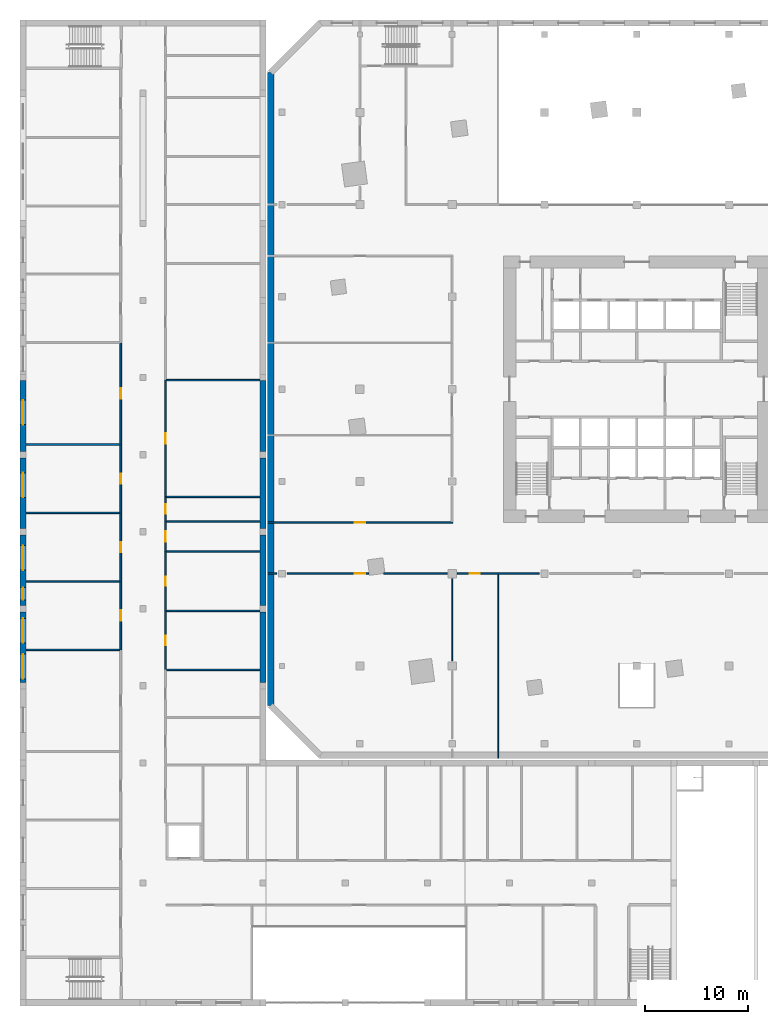
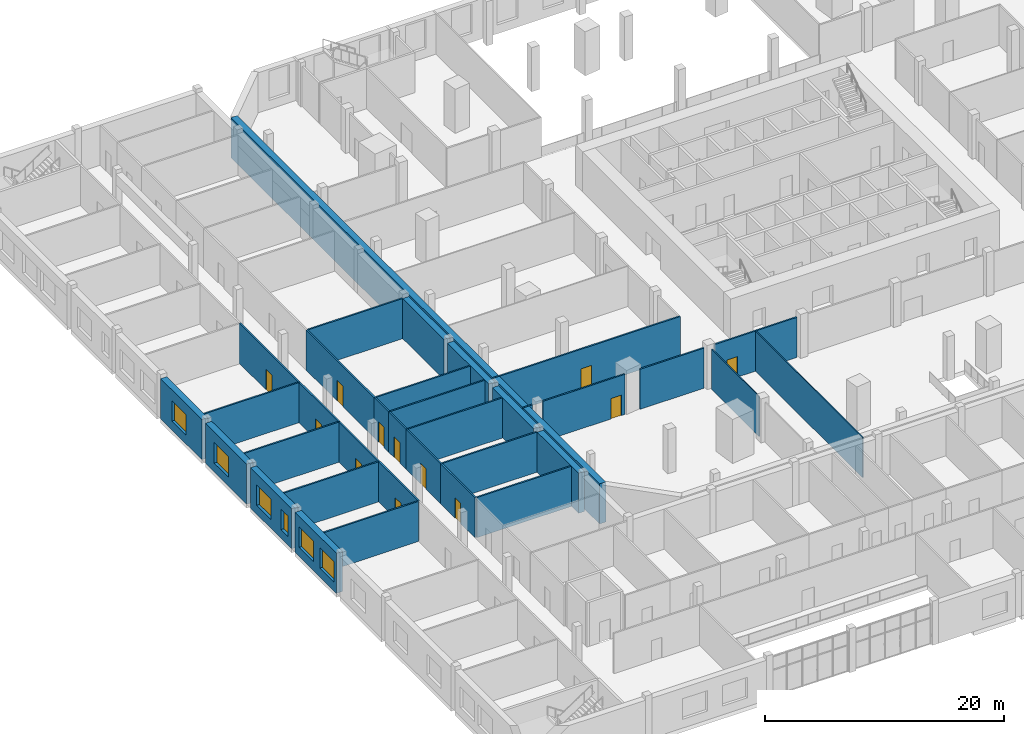
# One storey, part 11 of 27: 35 walls, 12 doors, 6 windows, 18 openings.
"""IFC4 building model written with IfcOpenShell, lengths in metres."""

import ifcopenshell
import ifcopenshell.guid

model = None  # the IFC model being written
_history = None  # IfcOwnerHistory: only IFC2X3 demands one
_inside = {}  # id of a spatial element -> (the spatial element, [elements in it])
_under = {}  # id of a project, library or spatial element -> (it, [spatial elements below it])
_declared = {}  # id of a project -> (the project, [libraries it declares])
_typed = {}  # id of a type object -> (the type object, [elements of that type])
_made_of = {}  # id of a material, layer set ... -> (it, [elements and type objects made of it])


def new_model(schema):
    """Start an empty IFC model of exactly this schema.

    Asked for "IFC4X3", IfcOpenShell would pick the latest addendum, in which some entities
    have other attributes; the version numbers below select the first issue.
    IFC2X3 requires an IfcOwnerHistory on every rooted entity: one is made here for all.
    """
    global model, _history
    if schema == "IFC4X3":
        model = ifcopenshell.file(schema_version=(4, 3, 0, 0))
    else:
        model = ifcopenshell.file(schema=schema)
    _inside.clear()
    _under.clear()
    _declared.clear()
    _typed.clear()
    _made_of.clear()
    _history = None
    if model.schema == "IFC2X3":
        org = make("IfcOrganization", Name="unknown")
        user = make(
            "IfcPersonAndOrganization",
            ThePerson=make("IfcPerson", FamilyName="unknown"),
            TheOrganization=org,
        )
        app = make(
            "IfcApplication",
            ApplicationDeveloper=org,
            Version="unknown",
            ApplicationFullName="unknown",
            ApplicationIdentifier="unknown",
        )
        _history = make(
            "IfcOwnerHistory",
            OwningUser=user,
            OwningApplication=app,
            ChangeAction="ADDED",
            CreationDate=0,
        )
    return model


def make(cls, **values):
    """One entity of the class cls with the attributes given. An attribute that is None is left unset."""
    return model.create_entity(
        cls, **{name: value for name, value in values.items() if value is not None}
    )


def rooted(cls, **values):
    """An entity with a GlobalId (a new one), such as an element, a storey or a relation."""
    return make(cls, GlobalId=ifcopenshell.guid.new(), OwnerHistory=_history, **values)


def si_unit(unit_type, name, prefix=None):
    """IfcSIUnit, for example si_unit("LENGTHUNIT", "METRE", prefix="MILLI")."""
    return make("IfcSIUnit", UnitType=unit_type, Prefix=prefix, Name=name)


def assignment(units):
    """IfcUnitAssignment: the units of a project."""
    return None if units is None else make("IfcUnitAssignment", Units=units)


def point(xyz):
    """IfcCartesianPoint."""
    return None if xyz is None else make("IfcCartesianPoint", Coordinates=xyz)


def direction(xyz):
    """IfcDirection."""
    return None if xyz is None else make("IfcDirection", DirectionRatios=xyz)


def frame(location, z_axis=None, x_axis=None):
    """IfcAxis2Placement3D, a coordinate frame: its origin and axes. An axis left out is left unset."""
    return make(
        "IfcAxis2Placement3D",
        Location=point(location),
        Axis=direction(z_axis),
        RefDirection=direction(x_axis),
    )


def frame_2d(location, x_axis=None):
    """IfcAxis2Placement2D, a coordinate frame in the plane: its origin and x axis."""
    return make(
        "IfcAxis2Placement2D", Location=point(location), RefDirection=direction(x_axis)
    )


def origin():
    """The frame at (0, 0, 0) with its axes left unset."""
    return frame((0.0, 0.0, 0.0))


def place(relative_to, where):
    """IfcLocalPlacement: puts the frame where relative to a parent placement (None: the world)."""
    return make(
        "IfcLocalPlacement", PlacementRelTo=relative_to, RelativePlacement=where
    )


def context(
    kind, dimensions, precision=None, world=None, true_north=None, identifier=None
):
    """IfcGeometricRepresentationContext, for example the 3D "Model" context."""
    return make(
        "IfcGeometricRepresentationContext",
        ContextIdentifier=identifier,
        ContextType=kind,
        CoordinateSpaceDimension=dimensions,
        Precision=precision,
        WorldCoordinateSystem=world,
        TrueNorth=true_north,
    )


def subcontext(parent, identifier, kind, view, scale=None):
    """IfcGeometricRepresentationSubContext, for example "Body" below "Model"."""
    return make(
        "IfcGeometricRepresentationSubContext",
        ContextIdentifier=identifier,
        ContextType=kind,
        ParentContext=parent,
        TargetScale=scale,
        TargetView=view,
    )


def project(units=None, contexts=None):
    """IfcProject with its units and contexts."""
    return rooted(
        "IfcProject",
        Name="project",
        RepresentationContexts=contexts,
        UnitsInContext=assignment(units),
    )


def spatial(cls, under=None, at=None, **own):
    """A site, building, storey or space (cls), placed at a placement, below another one or the project."""
    s = rooted(cls, ObjectPlacement=at, **own)
    if under is not None:
        _under.setdefault(under.id(), (under, []))[1].append(s)
    return s


def profile(cls, at=None, kind="AREA", **sizes):
    """A parametric profile (cls). Its sizes go by their IFC names, for example OverallWidth=200.0."""
    return make(cls, ProfileType=kind, Position=at, **sizes)


def rectangle(**sizes):
    """IfcRectangleProfileDef."""
    return profile("IfcRectangleProfileDef", **sizes)


def extrude(swept, where, along, depth):
    """IfcExtrudedAreaSolid: the profile swept, set in the frame where, extruded along a direction by depth."""
    return make(
        "IfcExtrudedAreaSolid",
        SweptArea=swept,
        Position=where,
        ExtrudedDirection=direction(along),
        Depth=depth,
    )


def shape(context_of_items, identifier, shape_type, items):
    """IfcShapeRepresentation: the items that make up one representation, for example the "Body"."""
    return make(
        "IfcShapeRepresentation",
        ContextOfItems=context_of_items,
        RepresentationIdentifier=identifier,
        RepresentationType=shape_type,
        Items=items,
    )


def material(Name=None, Category=None):
    """IfcMaterial."""
    return make("IfcMaterial", Name=Name, Category=Category)


def layer(
    of_material, thickness, ventilated=None, Name=None, Category=None, Priority=None
):
    """IfcMaterialLayer: one layer of a wall or slab, of a material (None: an air gap)."""
    return make(
        "IfcMaterialLayer",
        Material=of_material,
        LayerThickness=thickness,
        IsVentilated=ventilated,
        Name=Name,
        Category=Category,
        Priority=Priority,
    )


def layer_set(layers, Name=None):
    """IfcMaterialLayerSet."""
    return make("IfcMaterialLayerSet", MaterialLayers=layers, LayerSetName=Name)


def made_of(thing, what):
    """Note that an element or type object is made of a material, layer set ...; save() writes the relation."""
    if what is not None:
        _made_of.setdefault(what.id(), (what, []))[1].append(thing)
    return thing


def type_object(cls, material=None, **own):
    """A type object (cls), such as IfcWallType, which elements share."""
    return made_of(rooted(cls, **own), material)


def element(
    cls,
    number,
    at=None,
    inside=None,
    cuts=None,
    type_object=None,
    material=None,
    context=None,
    identifier="Body",
    shape_type=None,
    held_by="IfcProductDefinitionShape",
    body=None,
    shapes=None,
    **own,
):
    """One element of the class cls, such as IfcWall. Its Tag is "e" and its number.

    at: its placement. inside: the storey or other place that contains it. cuts: it is an
    opening in that element (IfcRelVoidsElement). A single representation is given by context,
    identifier, shape_type and body (its items); several are given by shapes. held_by: the class
    of the entity that holds the representations. save() writes the other relations.
    """
    e = rooted(cls, Tag="e%d" % number, ObjectPlacement=at, **own)
    if body is not None:
        shapes = [shape(context, identifier, shape_type, body)]
    if shapes is not None:
        e.Representation = make(held_by, Representations=shapes)
    if inside is not None:
        _inside.setdefault(inside.id(), (inside, []))[1].append(e)
    if cuts is not None:
        rooted(
            "IfcRelVoidsElement", RelatingBuildingElement=cuts, RelatedOpeningElement=e
        )
    if type_object is not None:
        _typed.setdefault(type_object.id(), (type_object, []))[1].append(e)
    return made_of(e, material)


def fill(opening, filler):
    """IfcRelFillsElement: the door or window that sits in an opening."""
    return rooted(
        "IfcRelFillsElement",
        RelatingOpeningElement=opening,
        RelatedBuildingElement=filler,
    )


def aggregate(whole, parts):
    """IfcRelAggregates: a whole, such as a stair, and the parts it consists of."""
    return rooted("IfcRelAggregates", RelatingObject=whole, RelatedObjects=parts)


def save(model, path):
    """Write the relations noted so far, then the file.

    IfcRelAggregates (storeys below a building ...), IfcRelContainedInSpatialStructure (elements
    in a storey), IfcRelDefinesByType, IfcRelAssociatesMaterial and IfcRelDeclares: one each for
    every whole, place, type object, material and project.
    """
    for whole, parts in _under.values():
        aggregate(whole, parts)
    for where, things in _inside.values():
        rooted(
            "IfcRelContainedInSpatialStructure",
            RelatedElements=things,
            RelatingStructure=where,
        )
    for kind, things in _typed.values():
        rooted("IfcRelDefinesByType", RelatedObjects=things, RelatingType=kind)
    for what, things in _made_of.values():
        rooted("IfcRelAssociatesMaterial", RelatedObjects=things, RelatingMaterial=what)
    for by, libraries in _declared.values():
        rooted("IfcRelDeclares", RelatingContext=by, RelatedDefinitions=libraries)
    model.write(path)


model = new_model("IFC4")

# Units and contexts
model_context = context("Model", 3, precision=1e-05, world=origin(), true_north=direction((0.0, 1.0)))
body_context = subcontext(model_context, "Body", "Model", "MODEL_VIEW")
ifc_project = project(units=[si_unit("LENGTHUNIT", "METRE"), si_unit("AREAUNIT", "SQUARE_METRE"), si_unit("VOLUMEUNIT", "CUBIC_METRE"), si_unit("PLANEANGLEUNIT", "RADIAN"), si_unit("MASSUNIT", "GRAM", prefix="KILO")], contexts=[model_context])

# Site, building, storey
site_placement = place(None, origin())
site = spatial("IfcSite", under=ifc_project, at=site_placement, CompositionType="ELEMENT")
building_placement = place(site_placement, origin())
building = spatial("IfcBuilding", under=site, at=building_placement, Name="Dilmun Exchange Tower", CompositionType="ELEMENT")
storey_placement = place(building_placement, frame((0.0, 0.0, 4.5)))
storey = spatial("IfcBuildingStorey", under=building, at=storey_placement, Name="L01", CompositionType="ELEMENT", Elevation=4.5)

# Wall
ifc_material_1 = material(Name="Fire partition EI 60 150 gypsum")
ifc_layer_1 = layer(ifc_material_1, 0.14990234375)
ifc_layer_set_1 = layer_set([ifc_layer_1], Name="Fire partition EI 60 150 gypsum")
wall_type_1 = type_object("IfcWallType", Name="Fire partition EI 60 150 gypsum", PredefinedType="PARTITIONING", material=ifc_layer_set_1)
wall_1_placement = place(storey_placement, frame((-36.0, -18.0, 0.0), z_axis=(0.0, 0.0, 1.0), x_axis=(1.0, 0.0, 0.0)))
element("IfcWall", 1, at=wall_1_placement, inside=storey, type_object=wall_type_1, Name="L01 partition", PredefinedType="PARTITIONING", context=body_context, shape_type="SweptSolid", body=[
    extrude(rectangle(XDim=0.89990234375, YDim=0.14990234375, at=frame_2d((0.449951171875, 0.0))), origin(), (0.0, 0.0, 1.0), 4.10009765625),
])

# Wall, opening, door
wall_2_placement = place(storey_placement, frame((-34.10009765625, -18.0, 0.0), z_axis=(0.0, 0.0, 1.0), x_axis=(1.0, 0.0, 0.0)))
wall_2 = element("IfcWall", 2, at=wall_2_placement, inside=storey, type_object=wall_type_1, Name="L01 partition", PredefinedType="PARTITIONING", context=body_context, shape_type="SweptSolid", body=[
    extrude(rectangle(XDim=7.956787109375, YDim=0.14990234375, at=frame_2d((3.978515625, 0.0))), origin(), (0.0, 0.0, 1.0), 4.10009765625),
])
opening_1_placement = place(wall_2_placement, frame((6.60009765625, 0.0, 0.0)))
opening_1 = element("IfcOpeningElement", 3, at=opening_1_placement, cuts=wall_2, Name="Opening L01-D011", PredefinedType="OPENING", context=body_context, shape_type="SweptSolid", body=[
    extrude(rectangle(XDim=1.0, YDim=2.10009765625, at=frame_2d((0.5, 1.050048828125))), frame((0.0, 0.0849609375, 0.0), z_axis=(0.0, -1.0, 0.0), x_axis=(1.0, 0.0, 0.0)), (0.0, 0.0, 1.0), 0.169921875),
])
ifc_material_2 = material(Name="Fire door FD60 1000 x 2100")
door_type_1 = type_object("IfcDoorType", Name="Fire door FD60 1000 x 2100", OperationType="SINGLE_SWING_LEFT", PredefinedType="DOOR", material=ifc_material_2)
door_1_placement = place(opening_1_placement, origin())
door_1 = element("IfcDoor", 4, at=door_1_placement, inside=storey, type_object=door_type_1, Name="L01 door L01-D011", OperationType="SINGLE_SWING_LEFT", OverallHeight=2.10009765625, OverallWidth=1.0, PredefinedType="DOOR", context=body_context, shape_type="SweptSolid", body=[
    extrude(rectangle(XDim=1.0, YDim=2.10009765625, at=frame_2d((0.5, 1.050048828125))), frame((0.0, 0.02490234375, 0.0), z_axis=(0.0, -1.0, 0.0), x_axis=(1.0, 0.0, 0.0)), (0.0, 0.0, 1.0), 0.050048828125),
])
fill(opening_1, door_1)

# Wall
wall_3_placement = place(storey_placement, frame((-24.680908203125, -18.0, 0.0), z_axis=(0.0, 0.0, 1.0), x_axis=(1.0, 0.0, 0.0)))
element("IfcWall", 5, at=wall_3_placement, inside=storey, type_object=wall_type_1, Name="L01 partition", PredefinedType="PARTITIONING", context=body_context, shape_type="SweptSolid", body=[
    extrude(rectangle(XDim=6.180908203125, YDim=0.14990234375, at=frame_2d((3.09033203125, 0.0))), origin(), (0.0, 0.0, 1.0), 4.10009765625),
])

# Wall, opening, door
wall_4_placement = place(storey_placement, frame((-17.5, -18.0, 0.0), z_axis=(0.0, 0.0, 1.0), x_axis=(1.0, 0.0, 0.0)))
wall_4 = element("IfcWall", 6, at=wall_4_placement, inside=storey, type_object=wall_type_1, Name="L01 partition", PredefinedType="PARTITIONING", context=body_context, shape_type="SweptSolid", body=[
    extrude(rectangle(XDim=8.0, YDim=0.14990234375, at=frame_2d((4.0, 0.0))), origin(), (0.0, 0.0, 1.0), 4.10009765625),
])
opening_2_placement = place(wall_4_placement, frame((1.199951171875, 0.0, 0.0)))
opening_2 = element("IfcOpeningElement", 7, at=opening_2_placement, cuts=wall_4, Name="Opening L01-D012", PredefinedType="OPENING", context=body_context, shape_type="SweptSolid", body=[
    extrude(rectangle(XDim=1.0, YDim=2.10009765625, at=frame_2d((0.5, 1.050048828125))), frame((0.0, 0.0849609375, 0.0), z_axis=(0.0, -1.0, 0.0), x_axis=(1.0, 0.0, 0.0)), (0.0, 0.0, 1.0), 0.169921875),
])
door_2_placement = place(opening_2_placement, origin())
door_2 = element("IfcDoor", 8, at=door_2_placement, inside=storey, type_object=door_type_1, Name="L01 door L01-D012", OperationType="SINGLE_SWING_RIGHT", OverallHeight=2.10009765625, OverallWidth=1.0, PredefinedType="DOOR", context=body_context, shape_type="SweptSolid", body=[
    extrude(rectangle(XDim=1.0, YDim=2.10009765625, at=frame_2d((0.5, 1.050048828125))), frame((0.0, 0.02490234375, 0.0), z_axis=(0.0, -1.0, 0.0), x_axis=(1.0, 0.0, 0.0)), (0.0, 0.0, 1.0), 0.050048828125),
])
fill(opening_2, door_2)

wall_5_placement = place(storey_placement, frame((-36.0, -13.0, 0.0), z_axis=(0.0, 0.0, 1.0), x_axis=(1.0, 0.0, 0.0)))
wall_5 = element("IfcWall", 9, at=wall_5_placement, inside=storey, type_object=wall_type_1, Name="L01 partition", PredefinedType="PARTITIONING", context=body_context, shape_type="SweptSolid", body=[
    extrude(rectangle(XDim=18.074951171875, YDim=0.14990234375, at=frame_2d((9.03759765625, 0.0))), origin(), (0.0, 0.0, 1.0), 4.10009765625),
])
opening_3_placement = place(wall_5_placement, frame((8.5, 0.0, 0.0)))
opening_3 = element("IfcOpeningElement", 10, at=opening_3_placement, cuts=wall_5, Name="Opening L01-D016", PredefinedType="OPENING", context=body_context, shape_type="SweptSolid", body=[
    extrude(rectangle(XDim=1.0, YDim=2.10009765625, at=frame_2d((0.5, 1.050048828125))), frame((0.0, 0.0849609375, 0.0), z_axis=(0.0, -1.0, 0.0), x_axis=(1.0, 0.0, 0.0)), (0.0, 0.0, 1.0), 0.169921875),
])
door_3_placement = place(opening_3_placement, origin())
door_3 = element("IfcDoor", 11, at=door_3_placement, inside=storey, type_object=door_type_1, Name="L01 door L01-D016", OperationType="SINGLE_SWING_RIGHT", OverallHeight=2.10009765625, OverallWidth=1.0, PredefinedType="DOOR", context=body_context, shape_type="SweptSolid", body=[
    extrude(rectangle(XDim=1.0, YDim=2.10009765625, at=frame_2d((0.5, 1.050048828125))), frame((0.0, 0.02490234375, 0.0), z_axis=(0.0, -1.0, 0.0), x_axis=(1.0, 0.0, 0.0)), (0.0, 0.0, 1.0), 0.050048828125),
])
fill(opening_3, door_3)

# Walls
ifc_material_3 = material(Name="Partition 100 gypsum")
ifc_layer_2 = layer(ifc_material_3, 0.10009765625)
ifc_layer_set_2 = layer_set([ifc_layer_2], Name="Partition 100 gypsum")
wall_type_2 = type_object("IfcWallType", Name="Partition 100 gypsum", PredefinedType="PARTITIONING", material=ifc_layer_set_2)
wall_6_placement = place(storey_placement, frame((-18.0, -26.5, 0.0), z_axis=(0.0, 0.0, 1.0), x_axis=(0.0, 1.0, 0.0)))
element("IfcWall", 12, at=wall_6_placement, inside=storey, type_object=wall_type_2, Name="L01 partition", PredefinedType="PARTITIONING", context=body_context, shape_type="SweptSolid", body=[
    extrude(rectangle(XDim=8.0, YDim=0.10009765625, at=frame_2d((4.0, 0.0))), origin(), (0.0, 0.0, 1.0), 4.10009765625),
])
wall_7_placement = place(storey_placement, frame((-13.5, -36.0, 0.0), z_axis=(0.0, 0.0, 1.0), x_axis=(0.0, 1.0, 0.0)))
element("IfcWall", 13, at=wall_7_placement, inside=storey, type_object=wall_type_2, Name="L01 partition", PredefinedType="PARTITIONING", context=body_context, shape_type="SweptSolid", body=[
    extrude(rectangle(XDim=17.925048828125, YDim=0.10009765625, at=frame_2d((8.96240234375, 0.0))), origin(), (0.0, 0.0, 1.0), 4.10009765625),
])
ifc_material_4 = material(Name="Precast concrete C50/60", Category="concrete")
ifc_layer_3 = layer(ifc_material_4, 0.60009765625)
ifc_layer_set_3 = layer_set([ifc_layer_3], Name="Precast concrete C50/60")
wall_type_3 = type_object("IfcWallType", Name="Precast stone-clad wall 600", PredefinedType="STANDARD", material=ifc_layer_set_3)
wall_8_placement = place(storey_placement, frame((-35.699951171875, 30.875732421875, 0.0), z_axis=(0.0, 0.0, 1.0), x_axis=(0.0, -1.0, 0.0)))
element("IfcWall", 14, at=wall_8_placement, inside=storey, type_object=wall_type_3, Name="Facade wall L01-06-0", PredefinedType="STANDARD", context=body_context, shape_type="SweptSolid", body=[
    extrude(rectangle(XDim=61.75146484375, YDim=0.60009765625, at=frame_2d((30.875732421875, 0.0))), origin(), (0.0, 0.0, 1.0), 4.10009765625),
])

# Wall, openings, windows
ifc_material_5 = material(Name="Precast concrete C40/50", Category="concrete")
ifc_layer_4 = layer(ifc_material_5, 0.60009765625)
ifc_layer_set_4 = layer_set([ifc_layer_4], Name="Precast concrete C40/50")
wall_type_4 = type_object("IfcWallType", Name="School external wall 600 precast C40/50", PredefinedType="STANDARD", material=ifc_layer_set_4)
wall_9_placement = place(storey_placement, frame((-59.85009765625, -28.6357421875, 0.0), z_axis=(0.0, 0.0, 1.0), x_axis=(0.0, 1.0, 0.0)))
wall_9 = element("IfcWall", 15, at=wall_9_placement, inside=storey, type_object=wall_type_4, Name="School external wall", PredefinedType="STANDARD", context=body_context, shape_type="SweptSolid", body=[
    extrude(rectangle(XDim=6.914306640625, YDim=0.60009765625, at=frame_2d((3.45703125, 0.0))), origin(), (0.0, 0.0, 1.0), 4.10009765625),
])
opening_4_placement = place(wall_9_placement, frame((0.384765625, 0.0, 0.89990234375)))
opening_4 = element("IfcOpeningElement", 16, at=opening_4_placement, cuts=wall_9, Name="Opening SCH-W24", PredefinedType="OPENING", context=body_context, shape_type="SweptSolid", body=[
    extrude(rectangle(XDim=2.39990234375, YDim=2.10009765625, at=frame_2d((1.199951171875, 1.050048828125))), frame((0.0, 0.31005859375, 0.0), z_axis=(0.0, -1.0, 0.0), x_axis=(1.0, 0.0, 0.0)), (0.0, 0.0, 1.0), 0.6201171875),
])
opening_5_placement = place(wall_9_placement, frame((3.886962890625, 0.0, 0.89990234375)))
opening_5 = element("IfcOpeningElement", 17, at=opening_5_placement, cuts=wall_9, Name="Opening SCH-W24", PredefinedType="OPENING", context=body_context, shape_type="SweptSolid", body=[
    extrude(rectangle(XDim=2.39990234375, YDim=2.10009765625, at=frame_2d((1.199951171875, 1.050048828125))), frame((0.0, 0.31005859375, 0.0), z_axis=(0.0, -1.0, 0.0), x_axis=(1.0, 0.0, 0.0)), (0.0, 0.0, 1.0), 0.6201171875),
])
ifc_material_6 = material(Name="Clear low-emissivity glass in aluminium frame", Category="aluminium")
window_type_1 = type_object("IfcWindowType", Name="School window 2400 x 2100", PartitioningType="DOUBLE_PANEL_VERTICAL", PredefinedType="WINDOW", material=ifc_material_6)
window_1_placement = place(opening_4_placement, origin())
window_1 = element("IfcWindow", 18, at=window_1_placement, inside=storey, type_object=window_type_1, Name="School window", OverallHeight=2.10009765625, OverallWidth=2.39990234375, PartitioningType="SINGLE_PANEL", PredefinedType="WINDOW", context=body_context, shape_type="SweptSolid", body=[
    extrude(rectangle(XDim=2.39990234375, YDim=2.10009765625, at=frame_2d((1.199951171875, 1.050048828125))), frame((0.0, 0.030029296875, 0.0), z_axis=(0.0, -1.0, 0.0), x_axis=(1.0, 0.0, 0.0)), (0.0, 0.0, 1.0), 0.06005859375),
])
fill(opening_4, window_1)
window_2_placement = place(opening_5_placement, origin())
window_2 = element("IfcWindow", 19, at=window_2_placement, inside=storey, type_object=window_type_1, Name="School window", OverallHeight=2.10009765625, OverallWidth=2.39990234375, PartitioningType="SINGLE_PANEL", PredefinedType="WINDOW", context=body_context, shape_type="SweptSolid", body=[
    extrude(rectangle(XDim=2.39990234375, YDim=2.10009765625, at=frame_2d((1.199951171875, 1.050048828125))), frame((0.0, 0.030029296875, 0.0), z_axis=(0.0, -1.0, 0.0), x_axis=(1.0, 0.0, 0.0)), (0.0, 0.0, 1.0), 0.06005859375),
])
fill(opening_5, window_2)

wall_10_placement = place(storey_placement, frame((-59.85009765625, -21.121337890625, 0.0), z_axis=(0.0, 0.0, 1.0), x_axis=(0.0, 1.0, 0.0)))
wall_10 = element("IfcWall", 20, at=wall_10_placement, inside=storey, type_object=wall_type_4, Name="School external wall", PredefinedType="STANDARD", context=body_context, shape_type="SweptSolid", body=[
    extrude(rectangle(XDim=6.914306640625, YDim=0.60009765625, at=frame_2d((3.45703125, 0.0))), origin(), (0.0, 0.0, 1.0), 4.10009765625),
])
opening_6_placement = place(wall_10_placement, frame((0.564208984375, 0.0, 0.89990234375)))
opening_6 = element("IfcOpeningElement", 21, at=opening_6_placement, cuts=wall_10, Name="Opening SCH-W12", PredefinedType="OPENING", context=body_context, shape_type="SweptSolid", body=[
    extrude(rectangle(XDim=1.199951171875, YDim=2.10009765625, at=frame_2d((0.60009765625, 1.050048828125))), frame((0.0, 0.31005859375, 0.0), z_axis=(0.0, -1.0, 0.0), x_axis=(1.0, 0.0, 0.0)), (0.0, 0.0, 1.0), 0.6201171875),
])
opening_7_placement = place(wall_10_placement, frame((3.46630859375, 0.0, 0.89990234375)))
opening_7 = element("IfcOpeningElement", 22, at=opening_7_placement, cuts=wall_10, Name="Opening SCH-W24", PredefinedType="OPENING", context=body_context, shape_type="SweptSolid", body=[
    extrude(rectangle(XDim=2.39990234375, YDim=2.10009765625, at=frame_2d((1.199951171875, 1.050048828125))), frame((0.0, 0.31005859375, 0.0), z_axis=(0.0, -1.0, 0.0), x_axis=(1.0, 0.0, 0.0)), (0.0, 0.0, 1.0), 0.6201171875),
])
window_type_2 = type_object("IfcWindowType", Name="School window 1200 x 2100", PartitioningType="DOUBLE_PANEL_VERTICAL", PredefinedType="WINDOW", material=ifc_material_6)
window_3_placement = place(opening_6_placement, origin())
window_3 = element("IfcWindow", 23, at=window_3_placement, inside=storey, type_object=window_type_2, Name="School window", OverallHeight=2.10009765625, OverallWidth=1.199951171875, PartitioningType="SINGLE_PANEL", PredefinedType="WINDOW", context=body_context, shape_type="SweptSolid", body=[
    extrude(rectangle(XDim=1.199951171875, YDim=2.10009765625, at=frame_2d((0.60009765625, 1.050048828125))), frame((0.0, 0.030029296875, 0.0), z_axis=(0.0, -1.0, 0.0), x_axis=(1.0, 0.0, 0.0)), (0.0, 0.0, 1.0), 0.06005859375),
])
fill(opening_6, window_3)
window_4_placement = place(opening_7_placement, origin())
window_4 = element("IfcWindow", 24, at=window_4_placement, inside=storey, type_object=window_type_1, Name="School window", OverallHeight=2.10009765625, OverallWidth=2.39990234375, PartitioningType="SINGLE_PANEL", PredefinedType="WINDOW", context=body_context, shape_type="SweptSolid", body=[
    extrude(rectangle(XDim=2.39990234375, YDim=2.10009765625, at=frame_2d((1.199951171875, 1.050048828125))), frame((0.0, 0.030029296875, 0.0), z_axis=(0.0, -1.0, 0.0), x_axis=(1.0, 0.0, 0.0)), (0.0, 0.0, 1.0), 0.06005859375),
])
fill(opening_7, window_4)

# Wall, opening, window
wall_11_placement = place(storey_placement, frame((-59.85009765625, -13.607177734375, 0.0), z_axis=(0.0, 0.0, 1.0), x_axis=(0.0, 1.0, 0.0)))
wall_11 = element("IfcWall", 25, at=wall_11_placement, inside=storey, type_object=wall_type_4, Name="School external wall", PredefinedType="STANDARD", context=body_context, shape_type="SweptSolid", body=[
    extrude(rectangle(XDim=6.914306640625, YDim=0.60009765625, at=frame_2d((3.45703125, 0.0))), origin(), (0.0, 0.0, 1.0), 4.10009765625),
])
opening_8_placement = place(wall_11_placement, frame((3.045654296875, 0.0, 0.89990234375)))
opening_8 = element("IfcOpeningElement", 26, at=opening_8_placement, cuts=wall_11, Name="Opening SCH-W24", PredefinedType="OPENING", context=body_context, shape_type="SweptSolid", body=[
    extrude(rectangle(XDim=2.39990234375, YDim=2.10009765625, at=frame_2d((1.199951171875, 1.050048828125))), frame((0.0, 0.31005859375, 0.0), z_axis=(0.0, -1.0, 0.0), x_axis=(1.0, 0.0, 0.0)), (0.0, 0.0, 1.0), 0.6201171875),
])
window_5_placement = place(opening_8_placement, origin())
window_5 = element("IfcWindow", 27, at=window_5_placement, inside=storey, type_object=window_type_1, Name="School window", OverallHeight=2.10009765625, OverallWidth=2.39990234375, PartitioningType="SINGLE_PANEL", PredefinedType="WINDOW", context=body_context, shape_type="SweptSolid", body=[
    extrude(rectangle(XDim=2.39990234375, YDim=2.10009765625, at=frame_2d((1.199951171875, 1.050048828125))), frame((0.0, 0.030029296875, 0.0), z_axis=(0.0, -1.0, 0.0), x_axis=(1.0, 0.0, 0.0)), (0.0, 0.0, 1.0), 0.06005859375),
])
fill(opening_8, window_5)

wall_12_placement = place(storey_placement, frame((-59.85009765625, -6.093017578125, 0.0), z_axis=(0.0, 0.0, 1.0), x_axis=(0.0, 1.0, 0.0)))
wall_12 = element("IfcWall", 28, at=wall_12_placement, inside=storey, type_object=wall_type_4, Name="School external wall", PredefinedType="STANDARD", context=body_context, shape_type="SweptSolid", body=[
    extrude(rectangle(XDim=6.914306640625, YDim=0.60009765625, at=frame_2d((3.45703125, 0.0))), origin(), (0.0, 0.0, 1.0), 4.10009765625),
])
opening_9_placement = place(wall_12_placement, frame((2.625, 0.0, 0.89990234375)))
opening_9 = element("IfcOpeningElement", 29, at=opening_9_placement, cuts=wall_12, Name="Opening SCH-W24", PredefinedType="OPENING", context=body_context, shape_type="SweptSolid", body=[
    extrude(rectangle(XDim=2.39990234375, YDim=2.10009765625, at=frame_2d((1.199951171875, 1.050048828125))), frame((0.0, 0.31005859375, 0.0), z_axis=(0.0, -1.0, 0.0), x_axis=(1.0, 0.0, 0.0)), (0.0, 0.0, 1.0), 0.6201171875),
])
window_6_placement = place(opening_9_placement, origin())
window_6 = element("IfcWindow", 30, at=window_6_placement, inside=storey, type_object=window_type_1, Name="School window", OverallHeight=2.10009765625, OverallWidth=2.39990234375, PartitioningType="SINGLE_PANEL", PredefinedType="WINDOW", context=body_context, shape_type="SweptSolid", body=[
    extrude(rectangle(XDim=2.39990234375, YDim=2.10009765625, at=frame_2d((1.199951171875, 1.050048828125))), frame((0.0, 0.030029296875, 0.0), z_axis=(0.0, -1.0, 0.0), x_axis=(1.0, 0.0, 0.0)), (0.0, 0.0, 1.0), 0.06005859375),
])
fill(opening_9, window_6)

# Walls
for number, where, z_axis, x_axis, name in (
    (31, (-36.449951171875, 0.8212890625, 0.0), (0.0, 0.0, 1.0), (0.0, -1.0, 0.0), "School external wall"),
    (32, (-36.449951171875, -6.69287109375, 0.0), (0.0, 0.0, 1.0), (0.0, -1.0, 0.0), "School external wall"),
    (33, (-36.449951171875, -14.20703125, 0.0), (0.0, 0.0, 1.0), (0.0, -1.0, 0.0), "School external wall"),
    (34, (-36.449951171875, -21.721435546875, 0.0), (0.0, 0.0, 1.0), (0.0, -1.0, 0.0), "School external wall"),
):
    element("IfcWall", number, at=place(storey_placement, frame(where, z_axis=z_axis, x_axis=x_axis)), inside=storey, type_object=wall_type_4, Name=name, PredefinedType="STANDARD", context=body_context, shape_type="SweptSolid", body=[
        extrude(rectangle(XDim=6.914306640625, YDim=0.60009765625, at=frame_2d((3.45703125, 0.0))), origin(), (0.0, 0.0, 1.0), 4.10009765625),
    ])
ifc_material_7 = material(Name="Gypsum board on steel studs", Category="steel")
ifc_layer_5 = layer(ifc_material_7, 0.14990234375)
ifc_layer_set_5 = layer_set([ifc_layer_5], Name="Gypsum board on steel studs")
wall_type_5 = type_object("IfcWallType", Name="School partition 150 gypsum board", PredefinedType="PARTITIONING", material=ifc_layer_set_5)
for number, where, z_axis, x_axis, name in (
    (35, (-59.550048828125, -25.421142578125, 0.0), (0.0, 0.0, 1.0), (1.0, 0.0, 0.0), "School partition"),
    (36, (-59.550048828125, -18.748046875, 0.0), (0.0, 0.0, 1.0), (1.0, 0.0, 0.0), "School partition"),
    (37, (-59.550048828125, -12.074951171875, 0.0), (0.0, 0.0, 1.0), (1.0, 0.0, 0.0), "School partition"),
    (38, (-59.550048828125, -5.40185546875, 0.0), (0.0, 0.0, 1.0), (1.0, 0.0, 0.0), "School partition"),
):
    element("IfcWall", number, at=place(storey_placement, frame(where, z_axis=z_axis, x_axis=x_axis)), inside=storey, type_object=wall_type_5, Name=name, PredefinedType="PARTITIONING", context=body_context, shape_type="SweptSolid", body=[
        extrude(rectangle(XDim=9.150146484375, YDim=0.14990234375, at=frame_2d((4.5751953125, 0.0))), origin(), (0.0, 0.0, 1.0), 4.10009765625),
    ])

# Wall, opening, door
wall_13_placement = place(storey_placement, frame((-50.324951171875, -25.421142578125, 0.0), z_axis=(0.0, 0.0, 1.0), x_axis=(0.0, 1.0, 0.0)))
wall_13 = element("IfcWall", 39, at=wall_13_placement, inside=storey, type_object=wall_type_5, Name="School corridor wall", PredefinedType="PARTITIONING", context=body_context, shape_type="SweptSolid", body=[
    extrude(rectangle(XDim=6.673095703125, YDim=0.14990234375, at=frame_2d((3.33642578125, 0.0))), origin(), (0.0, 0.0, 1.0), 4.10009765625),
])
opening_10_placement = place(wall_13_placement, frame((2.83642578125, 0.0, 0.0)))
opening_10 = element("IfcOpeningElement", 40, at=opening_10_placement, cuts=wall_13, Name="Opening SCH-D1", PredefinedType="OPENING", context=body_context, shape_type="SweptSolid", body=[
    extrude(rectangle(XDim=1.0, YDim=2.10009765625, at=frame_2d((0.5, 1.050048828125))), frame((0.0, 0.0849609375, 0.0), z_axis=(0.0, -1.0, 0.0), x_axis=(1.0, 0.0, 0.0)), (0.0, 0.0, 1.0), 0.169921875),
])
ifc_material_8 = material(Name="Timber door leaf in steel frame", Category="steel")
door_type_2 = type_object("IfcDoorType", Name="School door FD30S 1000 x 2100", OperationType="NOTDEFINED", PredefinedType="DOOR", material=ifc_material_8)
door_4_placement = place(opening_10_placement, origin())
door_4 = element("IfcDoor", 41, at=door_4_placement, inside=storey, type_object=door_type_2, Name="Classroom door", OperationType="SINGLE_SWING_RIGHT", OverallHeight=2.10009765625, OverallWidth=1.0, PredefinedType="DOOR", context=body_context, shape_type="SweptSolid", body=[
    extrude(rectangle(XDim=1.0, YDim=2.10009765625, at=frame_2d((0.5, 1.050048828125))), frame((0.0, 0.02490234375, 0.0), z_axis=(0.0, -1.0, 0.0), x_axis=(1.0, 0.0, 0.0)), (0.0, 0.0, 1.0), 0.050048828125),
])
fill(opening_10, door_4)

wall_14_placement = place(storey_placement, frame((-50.324951171875, -18.748046875, 0.0), z_axis=(0.0, 0.0, 1.0), x_axis=(0.0, 1.0, 0.0)))
wall_14 = element("IfcWall", 42, at=wall_14_placement, inside=storey, type_object=wall_type_5, Name="School corridor wall", PredefinedType="PARTITIONING", context=body_context, shape_type="SweptSolid", body=[
    extrude(rectangle(XDim=6.673095703125, YDim=0.14990234375, at=frame_2d((3.33642578125, 0.0))), origin(), (0.0, 0.0, 1.0), 4.10009765625),
])
opening_11_placement = place(wall_14_placement, frame((2.83642578125, 0.0, 0.0)))
opening_11 = element("IfcOpeningElement", 43, at=opening_11_placement, cuts=wall_14, Name="Opening SCH-D1", PredefinedType="OPENING", context=body_context, shape_type="SweptSolid", body=[
    extrude(rectangle(XDim=1.0, YDim=2.10009765625, at=frame_2d((0.5, 1.050048828125))), frame((0.0, 0.0849609375, 0.0), z_axis=(0.0, -1.0, 0.0), x_axis=(1.0, 0.0, 0.0)), (0.0, 0.0, 1.0), 0.169921875),
])
door_5_placement = place(opening_11_placement, origin())
door_5 = element("IfcDoor", 44, at=door_5_placement, inside=storey, type_object=door_type_2, Name="Classroom door", OperationType="SINGLE_SWING_LEFT", OverallHeight=2.10009765625, OverallWidth=1.0, PredefinedType="DOOR", context=body_context, shape_type="SweptSolid", body=[
    extrude(rectangle(XDim=1.0, YDim=2.10009765625, at=frame_2d((0.5, 1.050048828125))), frame((0.0, 0.02490234375, 0.0), z_axis=(0.0, -1.0, 0.0), x_axis=(1.0, 0.0, 0.0)), (0.0, 0.0, 1.0), 0.050048828125),
])
fill(opening_11, door_5)

wall_15_placement = place(storey_placement, frame((-50.324951171875, -12.074951171875, 0.0), z_axis=(0.0, 0.0, 1.0), x_axis=(0.0, 1.0, 0.0)))
wall_15 = element("IfcWall", 45, at=wall_15_placement, inside=storey, type_object=wall_type_5, Name="School corridor wall", PredefinedType="PARTITIONING", context=body_context, shape_type="SweptSolid", body=[
    extrude(rectangle(XDim=6.673095703125, YDim=0.14990234375, at=frame_2d((3.33642578125, 0.0))), origin(), (0.0, 0.0, 1.0), 4.10009765625),
])
opening_12_placement = place(wall_15_placement, frame((2.83642578125, 0.0, 0.0)))
opening_12 = element("IfcOpeningElement", 46, at=opening_12_placement, cuts=wall_15, Name="Opening SCH-D1", PredefinedType="OPENING", context=body_context, shape_type="SweptSolid", body=[
    extrude(rectangle(XDim=1.0, YDim=2.10009765625, at=frame_2d((0.5, 1.050048828125))), frame((0.0, 0.0849609375, 0.0), z_axis=(0.0, -1.0, 0.0), x_axis=(1.0, 0.0, 0.0)), (0.0, 0.0, 1.0), 0.169921875),
])
door_6_placement = place(opening_12_placement, origin())
door_6 = element("IfcDoor", 47, at=door_6_placement, inside=storey, type_object=door_type_2, Name="Classroom door", OperationType="SINGLE_SWING_RIGHT", OverallHeight=2.10009765625, OverallWidth=1.0, PredefinedType="DOOR", context=body_context, shape_type="SweptSolid", body=[
    extrude(rectangle(XDim=1.0, YDim=2.10009765625, at=frame_2d((0.5, 1.050048828125))), frame((0.0, 0.02490234375, 0.0), z_axis=(0.0, -1.0, 0.0), x_axis=(1.0, 0.0, 0.0)), (0.0, 0.0, 1.0), 0.050048828125),
])
fill(opening_12, door_6)

wall_16_placement = place(storey_placement, frame((-50.324951171875, -5.40185546875, 0.0), z_axis=(0.0, 0.0, 1.0), x_axis=(0.0, 1.0, 0.0)))
wall_16 = element("IfcWall", 48, at=wall_16_placement, inside=storey, type_object=wall_type_5, Name="School corridor wall", PredefinedType="PARTITIONING", context=body_context, shape_type="SweptSolid", body=[
    extrude(rectangle(XDim=9.9345703125, YDim=0.14990234375, at=frame_2d((4.96728515625, 0.0))), origin(), (0.0, 0.0, 1.0), 4.10009765625),
])
opening_13_placement = place(wall_16_placement, frame((4.46728515625, 0.0, 0.0)))
opening_13 = element("IfcOpeningElement", 49, at=opening_13_placement, cuts=wall_16, Name="Opening SCH-D1", PredefinedType="OPENING", context=body_context, shape_type="SweptSolid", body=[
    extrude(rectangle(XDim=1.0, YDim=2.10009765625, at=frame_2d((0.5, 1.050048828125))), frame((0.0, 0.0849609375, 0.0), z_axis=(0.0, -1.0, 0.0), x_axis=(1.0, 0.0, 0.0)), (0.0, 0.0, 1.0), 0.169921875),
])
door_7_placement = place(opening_13_placement, origin())
door_7 = element("IfcDoor", 50, at=door_7_placement, inside=storey, type_object=door_type_2, Name="Science laboratory door", OperationType="SINGLE_SWING_LEFT", OverallHeight=2.10009765625, OverallWidth=1.0, PredefinedType="DOOR", context=body_context, shape_type="SweptSolid", body=[
    extrude(rectangle(XDim=1.0, YDim=2.10009765625, at=frame_2d((0.5, 1.050048828125))), frame((0.0, 0.02490234375, 0.0), z_axis=(0.0, -1.0, 0.0), x_axis=(1.0, 0.0, 0.0)), (0.0, 0.0, 1.0), 0.050048828125),
])
fill(opening_13, door_7)

# Walls
for number, where, z_axis, x_axis, name in (
    (51, (-45.89990234375, -27.389404296875, 0.0), (0.0, 0.0, 1.0), (1.0, 0.0, 0.0), "School partition"),
    (52, (-45.89990234375, -21.623291015625, 0.0), (0.0, 0.0, 1.0), (1.0, 0.0, 0.0), "School partition"),
    (53, (-45.89990234375, -15.857421875, 0.0), (0.0, 0.0, 1.0), (1.0, 0.0, 0.0), "School partition"),
    (54, (-45.89990234375, -12.8994140625, 0.0), (0.0, 0.0, 1.0), (1.0, 0.0, 0.0), "School partition"),
    (55, (-45.89990234375, -10.5029296875, 0.0), (0.0, 0.0, 1.0), (1.0, 0.0, 0.0), "School partition"),
    (56, (-45.89990234375, 0.87890625, 0.0), (0.0, 0.0, 1.0), (1.0, 0.0, 0.0), "School partition"),
):
    element("IfcWall", number, at=place(storey_placement, frame(where, z_axis=z_axis, x_axis=x_axis)), inside=storey, type_object=wall_type_5, Name=name, PredefinedType="PARTITIONING", context=body_context, shape_type="SweptSolid", body=[
        extrude(rectangle(XDim=9.14990234375, YDim=0.14990234375, at=frame_2d((4.574951171875, 0.0))), origin(), (0.0, 0.0, 1.0), 4.10009765625),
    ])

# Wall, opening, door
wall_17_placement = place(storey_placement, frame((-45.97509765625, -27.389404296875, 0.0), z_axis=(0.0, 0.0, 1.0), x_axis=(0.0, 1.0, 0.0)))
wall_17 = element("IfcWall", 57, at=wall_17_placement, inside=storey, type_object=wall_type_5, Name="School corridor wall", PredefinedType="PARTITIONING", context=body_context, shape_type="SweptSolid", body=[
    extrude(rectangle(XDim=5.76611328125, YDim=0.14990234375, at=frame_2d((2.883056640625, 0.0))), origin(), (0.0, 0.0, 1.0), 4.10009765625),
])
opening_14_placement = place(wall_17_placement, frame((2.43310546875, 0.0, 0.0)))
opening_14 = element("IfcOpeningElement", 58, at=opening_14_placement, cuts=wall_17, Name="Opening SCH-D2", PredefinedType="OPENING", context=body_context, shape_type="SweptSolid", body=[
    extrude(rectangle(XDim=0.89990234375, YDim=2.10009765625, at=frame_2d((0.449951171875, 1.050048828125))), frame((0.0, 0.0849609375, 0.0), z_axis=(0.0, -1.0, 0.0), x_axis=(1.0, 0.0, 0.0)), (0.0, 0.0, 1.0), 0.169921875),
])
door_type_3 = type_object("IfcDoorType", Name="School door FD30S 900 x 2100", OperationType="NOTDEFINED", PredefinedType="DOOR", material=ifc_material_8)
door_8_placement = place(opening_14_placement, origin())
door_8 = element("IfcDoor", 59, at=door_8_placement, inside=storey, type_object=door_type_3, Name="Boys WC door", OperationType="SINGLE_SWING_LEFT", OverallHeight=2.10009765625, OverallWidth=0.89990234375, PredefinedType="DOOR", context=body_context, shape_type="SweptSolid", body=[
    extrude(rectangle(XDim=0.89990234375, YDim=2.10009765625, at=frame_2d((0.449951171875, 1.050048828125))), frame((0.0, 0.02490234375, 0.0), z_axis=(0.0, -1.0, 0.0), x_axis=(1.0, 0.0, 0.0)), (0.0, 0.0, 1.0), 0.050048828125),
])
fill(opening_14, door_8)

wall_18_placement = place(storey_placement, frame((-45.97509765625, -21.623291015625, 0.0), z_axis=(0.0, 0.0, 1.0), x_axis=(0.0, 1.0, 0.0)))
wall_18 = element("IfcWall", 60, at=wall_18_placement, inside=storey, type_object=wall_type_5, Name="School corridor wall", PredefinedType="PARTITIONING", context=body_context, shape_type="SweptSolid", body=[
    extrude(rectangle(XDim=5.765869140625, YDim=0.14990234375, at=frame_2d((2.8828125, 0.0))), origin(), (0.0, 0.0, 1.0), 4.10009765625),
])
opening_15_placement = place(wall_18_placement, frame((2.43310546875, 0.0, 0.0)))
opening_15 = element("IfcOpeningElement", 61, at=opening_15_placement, cuts=wall_18, Name="Opening SCH-D2", PredefinedType="OPENING", context=body_context, shape_type="SweptSolid", body=[
    extrude(rectangle(XDim=0.89990234375, YDim=2.10009765625, at=frame_2d((0.449951171875, 1.050048828125))), frame((0.0, 0.0849609375, 0.0), z_axis=(0.0, -1.0, 0.0), x_axis=(1.0, 0.0, 0.0)), (0.0, 0.0, 1.0), 0.169921875),
])
door_9_placement = place(opening_15_placement, origin())
door_9 = element("IfcDoor", 62, at=door_9_placement, inside=storey, type_object=door_type_3, Name="Girls WC door", OperationType="SINGLE_SWING_RIGHT", OverallHeight=2.10009765625, OverallWidth=0.89990234375, PredefinedType="DOOR", context=body_context, shape_type="SweptSolid", body=[
    extrude(rectangle(XDim=0.89990234375, YDim=2.10009765625, at=frame_2d((0.449951171875, 1.050048828125))), frame((0.0, 0.02490234375, 0.0), z_axis=(0.0, -1.0, 0.0), x_axis=(1.0, 0.0, 0.0)), (0.0, 0.0, 1.0), 0.050048828125),
])
fill(opening_15, door_9)

wall_19_placement = place(storey_placement, frame((-45.97509765625, -15.857421875, 0.0), z_axis=(0.0, 0.0, 1.0), x_axis=(0.0, 1.0, 0.0)))
wall_19 = element("IfcWall", 63, at=wall_19_placement, inside=storey, type_object=wall_type_5, Name="School corridor wall", PredefinedType="PARTITIONING", context=body_context, shape_type="SweptSolid", body=[
    extrude(rectangle(XDim=2.9580078125, YDim=0.14990234375, at=frame_2d((1.47900390625, 0.0))), origin(), (0.0, 0.0, 1.0), 4.10009765625),
])
opening_16_placement = place(wall_19_placement, frame((0.97900390625, 0.0, 0.0)))
opening_16 = element("IfcOpeningElement", 64, at=opening_16_placement, cuts=wall_19, Name="Opening SCH-D1", PredefinedType="OPENING", context=body_context, shape_type="SweptSolid", body=[
    extrude(rectangle(XDim=1.0, YDim=2.10009765625, at=frame_2d((0.5, 1.050048828125))), frame((0.0, 0.0849609375, 0.0), z_axis=(0.0, -1.0, 0.0), x_axis=(1.0, 0.0, 0.0)), (0.0, 0.0, 1.0), 0.169921875),
])
door_10_placement = place(opening_16_placement, origin())
door_10 = element("IfcDoor", 65, at=door_10_placement, inside=storey, type_object=door_type_2, Name="Accessible WC door", OperationType="SINGLE_SWING_LEFT", OverallHeight=2.10009765625, OverallWidth=1.0, PredefinedType="DOOR", context=body_context, shape_type="SweptSolid", body=[
    extrude(rectangle(XDim=1.0, YDim=2.10009765625, at=frame_2d((0.5, 1.050048828125))), frame((0.0, 0.02490234375, 0.0), z_axis=(0.0, -1.0, 0.0), x_axis=(1.0, 0.0, 0.0)), (0.0, 0.0, 1.0), 0.050048828125),
])
fill(opening_16, door_10)

wall_20_placement = place(storey_placement, frame((-45.97509765625, -12.8994140625, 0.0), z_axis=(0.0, 0.0, 1.0), x_axis=(0.0, 1.0, 0.0)))
wall_20 = element("IfcWall", 66, at=wall_20_placement, inside=storey, type_object=wall_type_5, Name="School corridor wall", PredefinedType="PARTITIONING", context=body_context, shape_type="SweptSolid", body=[
    extrude(rectangle(XDim=2.396484375, YDim=0.14990234375, at=frame_2d((1.1982421875, 0.0))), origin(), (0.0, 0.0, 1.0), 4.10009765625),
])
opening_17_placement = place(wall_20_placement, frame((0.748291015625, 0.0, 0.0)))
opening_17 = element("IfcOpeningElement", 67, at=opening_17_placement, cuts=wall_20, Name="Opening SCH-D2", PredefinedType="OPENING", context=body_context, shape_type="SweptSolid", body=[
    extrude(rectangle(XDim=0.89990234375, YDim=2.10009765625, at=frame_2d((0.449951171875, 1.050048828125))), frame((0.0, 0.0849609375, 0.0), z_axis=(0.0, -1.0, 0.0), x_axis=(1.0, 0.0, 0.0)), (0.0, 0.0, 1.0), 0.169921875),
])
door_11_placement = place(opening_17_placement, origin())
door_11 = element("IfcDoor", 68, at=door_11_placement, inside=storey, type_object=door_type_3, Name="Cleaner's store door", OperationType="SINGLE_SWING_RIGHT", OverallHeight=2.10009765625, OverallWidth=0.89990234375, PredefinedType="DOOR", context=body_context, shape_type="SweptSolid", body=[
    extrude(rectangle(XDim=0.89990234375, YDim=2.10009765625, at=frame_2d((0.449951171875, 1.050048828125))), frame((0.0, 0.02490234375, 0.0), z_axis=(0.0, -1.0, 0.0), x_axis=(1.0, 0.0, 0.0)), (0.0, 0.0, 1.0), 0.050048828125),
])
fill(opening_17, door_11)

wall_21_placement = place(storey_placement, frame((-45.97509765625, -10.5029296875, 0.0), z_axis=(0.0, 0.0, 1.0), x_axis=(0.0, 1.0, 0.0)))
wall_21 = element("IfcWall", 69, at=wall_21_placement, inside=storey, type_object=wall_type_5, Name="School corridor wall", PredefinedType="PARTITIONING", context=body_context, shape_type="SweptSolid", body=[
    extrude(rectangle(XDim=11.3818359375, YDim=0.14990234375, at=frame_2d((5.69091796875, 0.0))), origin(), (0.0, 0.0, 1.0), 4.10009765625),
])
opening_18_placement = place(wall_21_placement, frame((5.19091796875, 0.0, 0.0)))
opening_18 = element("IfcOpeningElement", 70, at=opening_18_placement, cuts=wall_21, Name="Opening SCH-D1", PredefinedType="OPENING", context=body_context, shape_type="SweptSolid", body=[
    extrude(rectangle(XDim=1.0, YDim=2.10009765625, at=frame_2d((0.5, 1.050048828125))), frame((0.0, 0.0849609375, 0.0), z_axis=(0.0, -1.0, 0.0), x_axis=(1.0, 0.0, 0.0)), (0.0, 0.0, 1.0), 0.169921875),
])
door_12_placement = place(opening_18_placement, origin())
door_12 = element("IfcDoor", 71, at=door_12_placement, inside=storey, type_object=door_type_2, Name="Computer suite door", OperationType="SINGLE_SWING_LEFT", OverallHeight=2.10009765625, OverallWidth=1.0, PredefinedType="DOOR", context=body_context, shape_type="SweptSolid", body=[
    extrude(rectangle(XDim=1.0, YDim=2.10009765625, at=frame_2d((0.5, 1.050048828125))), frame((0.0, 0.02490234375, 0.0), z_axis=(0.0, -1.0, 0.0), x_axis=(1.0, 0.0, 0.0)), (0.0, 0.0, 1.0), 0.050048828125),
])
fill(opening_18, door_12)

save(model, "model.ifc")
